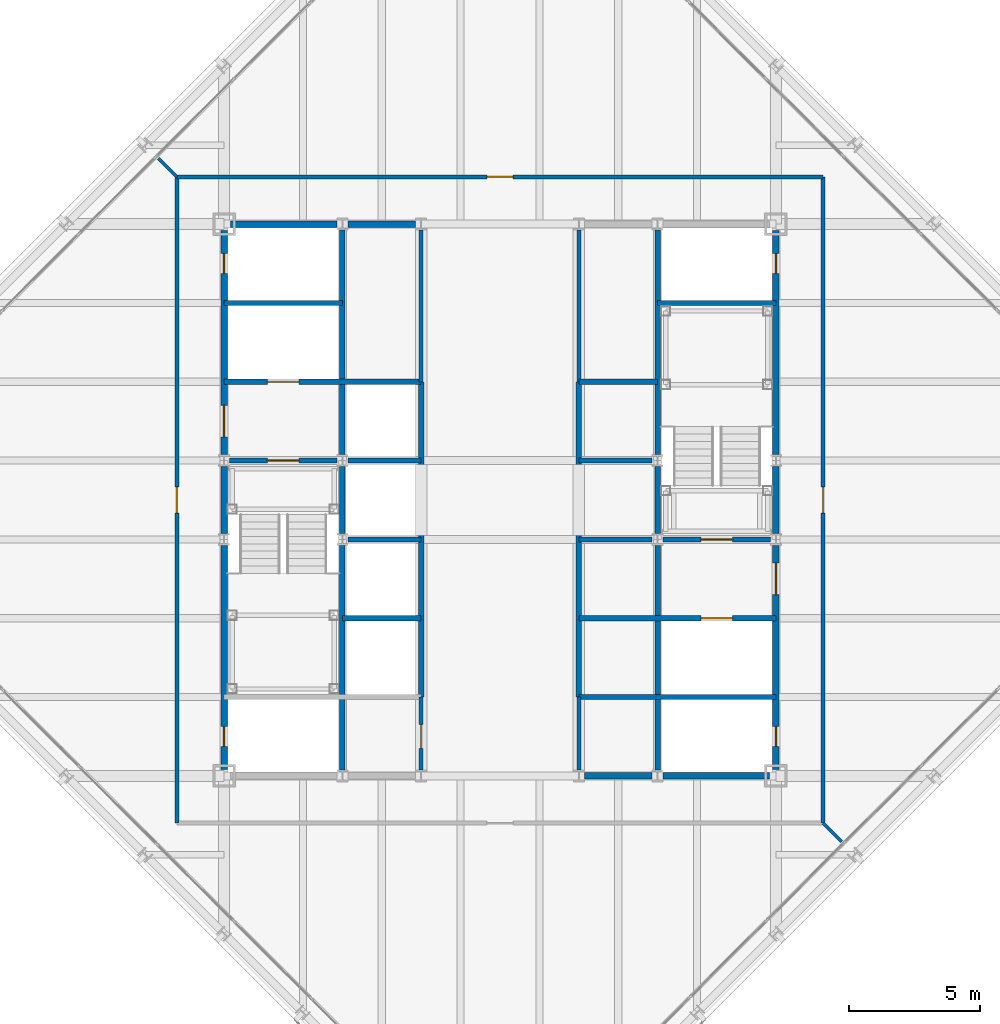
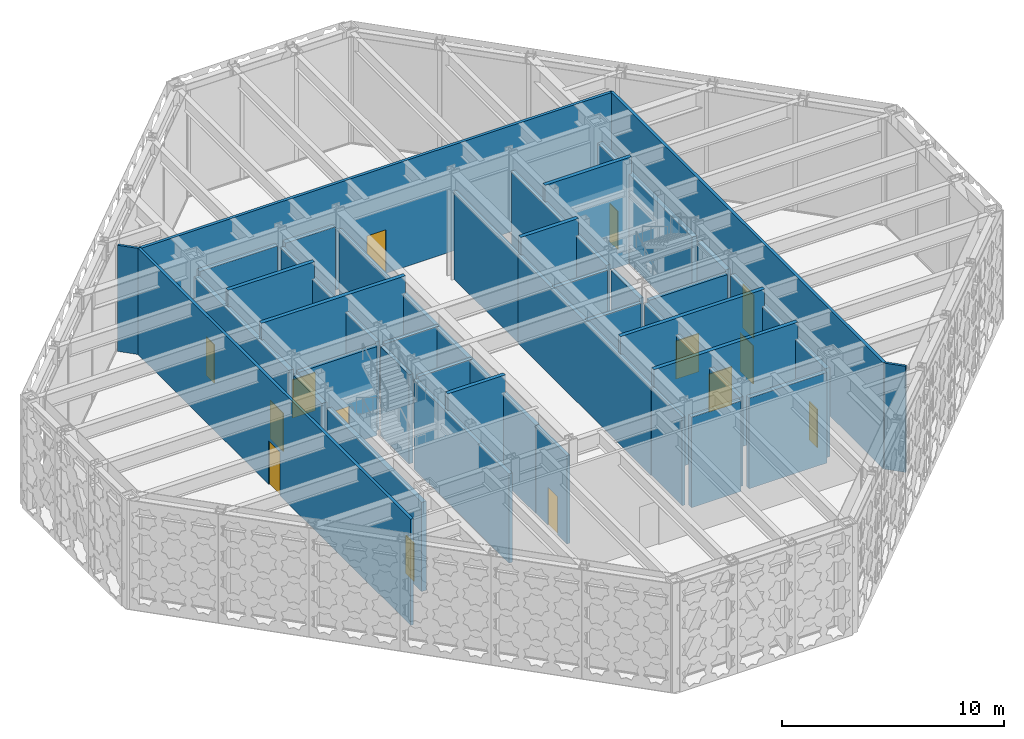
# One storey, part 11 of 28: 40 walls, 14 doors, 14 openings.
"""IFC4 building model written with IfcOpenShell, lengths in metres."""

import ifcopenshell
import ifcopenshell.guid

model = None  # the IFC model being written
_history = None  # IfcOwnerHistory: only IFC2X3 demands one
_inside = {}  # id of a spatial element -> (the spatial element, [elements in it])
_under = {}  # id of a project, library or spatial element -> (it, [spatial elements below it])
_declared = {}  # id of a project -> (the project, [libraries it declares])
_typed = {}  # id of a type object -> (the type object, [elements of that type])
_made_of = {}  # id of a material, layer set ... -> (it, [elements and type objects made of it])


def new_model(schema):
    """Start an empty IFC model of exactly this schema.

    Asked for "IFC4X3", IfcOpenShell would pick the latest addendum, in which some entities
    have other attributes; the version numbers below select the first issue.
    IFC2X3 requires an IfcOwnerHistory on every rooted entity: one is made here for all.
    """
    global model, _history
    if schema == "IFC4X3":
        model = ifcopenshell.file(schema_version=(4, 3, 0, 0))
    else:
        model = ifcopenshell.file(schema=schema)
    _inside.clear()
    _under.clear()
    _declared.clear()
    _typed.clear()
    _made_of.clear()
    _history = None
    if model.schema == "IFC2X3":
        org = make("IfcOrganization", Name="unknown")
        user = make(
            "IfcPersonAndOrganization",
            ThePerson=make("IfcPerson", FamilyName="unknown"),
            TheOrganization=org,
        )
        app = make(
            "IfcApplication",
            ApplicationDeveloper=org,
            Version="unknown",
            ApplicationFullName="unknown",
            ApplicationIdentifier="unknown",
        )
        _history = make(
            "IfcOwnerHistory",
            OwningUser=user,
            OwningApplication=app,
            ChangeAction="ADDED",
            CreationDate=0,
        )
    return model


def make(cls, **values):
    """One entity of the class cls with the attributes given. An attribute that is None is left unset."""
    return model.create_entity(
        cls, **{name: value for name, value in values.items() if value is not None}
    )


def rooted(cls, **values):
    """An entity with a GlobalId (a new one), such as an element, a storey or a relation."""
    return make(cls, GlobalId=ifcopenshell.guid.new(), OwnerHistory=_history, **values)


def si_unit(unit_type, name, prefix=None):
    """IfcSIUnit, for example si_unit("LENGTHUNIT", "METRE", prefix="MILLI")."""
    return make("IfcSIUnit", UnitType=unit_type, Prefix=prefix, Name=name)


def assignment(units):
    """IfcUnitAssignment: the units of a project."""
    return None if units is None else make("IfcUnitAssignment", Units=units)


def point(xyz):
    """IfcCartesianPoint."""
    return None if xyz is None else make("IfcCartesianPoint", Coordinates=xyz)


def direction(xyz):
    """IfcDirection."""
    return None if xyz is None else make("IfcDirection", DirectionRatios=xyz)


def frame(location, z_axis=None, x_axis=None):
    """IfcAxis2Placement3D, a coordinate frame: its origin and axes. An axis left out is left unset."""
    return make(
        "IfcAxis2Placement3D",
        Location=point(location),
        Axis=direction(z_axis),
        RefDirection=direction(x_axis),
    )


def frame_2d(location, x_axis=None):
    """IfcAxis2Placement2D, a coordinate frame in the plane: its origin and x axis."""
    return make(
        "IfcAxis2Placement2D", Location=point(location), RefDirection=direction(x_axis)
    )


def origin():
    """The frame at (0, 0, 0) with its axes left unset."""
    return frame((0.0, 0.0, 0.0))


def place(relative_to, where):
    """IfcLocalPlacement: puts the frame where relative to a parent placement (None: the world)."""
    return make(
        "IfcLocalPlacement", PlacementRelTo=relative_to, RelativePlacement=where
    )


def context(
    kind, dimensions, precision=None, world=None, true_north=None, identifier=None
):
    """IfcGeometricRepresentationContext, for example the 3D "Model" context."""
    return make(
        "IfcGeometricRepresentationContext",
        ContextIdentifier=identifier,
        ContextType=kind,
        CoordinateSpaceDimension=dimensions,
        Precision=precision,
        WorldCoordinateSystem=world,
        TrueNorth=true_north,
    )


def subcontext(parent, identifier, kind, view, scale=None):
    """IfcGeometricRepresentationSubContext, for example "Body" below "Model"."""
    return make(
        "IfcGeometricRepresentationSubContext",
        ContextIdentifier=identifier,
        ContextType=kind,
        ParentContext=parent,
        TargetScale=scale,
        TargetView=view,
    )


def project(units=None, contexts=None):
    """IfcProject with its units and contexts."""
    return rooted(
        "IfcProject",
        Name="project",
        RepresentationContexts=contexts,
        UnitsInContext=assignment(units),
    )


def spatial(cls, under=None, at=None, **own):
    """A site, building, storey or space (cls), placed at a placement, below another one or the project."""
    s = rooted(cls, ObjectPlacement=at, **own)
    if under is not None:
        _under.setdefault(under.id(), (under, []))[1].append(s)
    return s


def profile(cls, at=None, kind="AREA", **sizes):
    """A parametric profile (cls). Its sizes go by their IFC names, for example OverallWidth=200.0."""
    return make(cls, ProfileType=kind, Position=at, **sizes)


def rectangle(**sizes):
    """IfcRectangleProfileDef."""
    return profile("IfcRectangleProfileDef", **sizes)


def extrude(swept, where, along, depth):
    """IfcExtrudedAreaSolid: the profile swept, set in the frame where, extruded along a direction by depth."""
    return make(
        "IfcExtrudedAreaSolid",
        SweptArea=swept,
        Position=where,
        ExtrudedDirection=direction(along),
        Depth=depth,
    )


def shape(context_of_items, identifier, shape_type, items):
    """IfcShapeRepresentation: the items that make up one representation, for example the "Body"."""
    return make(
        "IfcShapeRepresentation",
        ContextOfItems=context_of_items,
        RepresentationIdentifier=identifier,
        RepresentationType=shape_type,
        Items=items,
    )


def material(Name=None, Category=None):
    """IfcMaterial."""
    return make("IfcMaterial", Name=Name, Category=Category)


def layer(
    of_material, thickness, ventilated=None, Name=None, Category=None, Priority=None
):
    """IfcMaterialLayer: one layer of a wall or slab, of a material (None: an air gap)."""
    return make(
        "IfcMaterialLayer",
        Material=of_material,
        LayerThickness=thickness,
        IsVentilated=ventilated,
        Name=Name,
        Category=Category,
        Priority=Priority,
    )


def layer_set(layers, Name=None):
    """IfcMaterialLayerSet."""
    return make("IfcMaterialLayerSet", MaterialLayers=layers, LayerSetName=Name)


def made_of(thing, what):
    """Note that an element or type object is made of a material, layer set ...; save() writes the relation."""
    if what is not None:
        _made_of.setdefault(what.id(), (what, []))[1].append(thing)
    return thing


def type_object(cls, material=None, **own):
    """A type object (cls), such as IfcWallType, which elements share."""
    return made_of(rooted(cls, **own), material)


def element(
    cls,
    number,
    at=None,
    inside=None,
    cuts=None,
    type_object=None,
    material=None,
    context=None,
    identifier="Body",
    shape_type=None,
    held_by="IfcProductDefinitionShape",
    body=None,
    shapes=None,
    **own,
):
    """One element of the class cls, such as IfcWall. Its Tag is "e" and its number.

    at: its placement. inside: the storey or other place that contains it. cuts: it is an
    opening in that element (IfcRelVoidsElement). A single representation is given by context,
    identifier, shape_type and body (its items); several are given by shapes. held_by: the class
    of the entity that holds the representations. save() writes the other relations.
    """
    e = rooted(cls, Tag="e%d" % number, ObjectPlacement=at, **own)
    if body is not None:
        shapes = [shape(context, identifier, shape_type, body)]
    if shapes is not None:
        e.Representation = make(held_by, Representations=shapes)
    if inside is not None:
        _inside.setdefault(inside.id(), (inside, []))[1].append(e)
    if cuts is not None:
        rooted(
            "IfcRelVoidsElement", RelatingBuildingElement=cuts, RelatedOpeningElement=e
        )
    if type_object is not None:
        _typed.setdefault(type_object.id(), (type_object, []))[1].append(e)
    return made_of(e, material)


def fill(opening, filler):
    """IfcRelFillsElement: the door or window that sits in an opening."""
    return rooted(
        "IfcRelFillsElement",
        RelatingOpeningElement=opening,
        RelatedBuildingElement=filler,
    )


def aggregate(whole, parts):
    """IfcRelAggregates: a whole, such as a stair, and the parts it consists of."""
    return rooted("IfcRelAggregates", RelatingObject=whole, RelatedObjects=parts)


def save(model, path):
    """Write the relations noted so far, then the file.

    IfcRelAggregates (storeys below a building ...), IfcRelContainedInSpatialStructure (elements
    in a storey), IfcRelDefinesByType, IfcRelAssociatesMaterial and IfcRelDeclares: one each for
    every whole, place, type object, material and project.
    """
    for whole, parts in _under.values():
        aggregate(whole, parts)
    for where, things in _inside.values():
        rooted(
            "IfcRelContainedInSpatialStructure",
            RelatedElements=things,
            RelatingStructure=where,
        )
    for kind, things in _typed.values():
        rooted("IfcRelDefinesByType", RelatedObjects=things, RelatingType=kind)
    for what, things in _made_of.values():
        rooted("IfcRelAssociatesMaterial", RelatedObjects=things, RelatingMaterial=what)
    for by, libraries in _declared.values():
        rooted("IfcRelDeclares", RelatingContext=by, RelatedDefinitions=libraries)
    model.write(path)


model = new_model("IFC4")

# Units and contexts
model_context = context("Model", 3, precision=1e-05, world=origin(), true_north=direction((0.0, 1.0)))
body_context = subcontext(model_context, "Body", "Model", "MODEL_VIEW")
ifc_project = project(units=[si_unit("LENGTHUNIT", "METRE"), si_unit("AREAUNIT", "SQUARE_METRE"), si_unit("VOLUMEUNIT", "CUBIC_METRE"), si_unit("PLANEANGLEUNIT", "RADIAN"), si_unit("MASSUNIT", "GRAM", prefix="KILO")], contexts=[model_context])

# Site, building, storey
site_placement = place(None, origin())
site = spatial("IfcSite", under=ifc_project, at=site_placement, CompositionType="ELEMENT")
building_placement = place(site_placement, origin())
building = spatial("IfcBuilding", under=site, at=building_placement, Name="Chuquiago Exchange Tower", CompositionType="ELEMENT")
storey_placement = place(building_placement, frame((0.0, 0.0, 300.0)))
storey = spatial("IfcBuildingStorey", under=building, at=storey_placement, Name="L67", CompositionType="ELEMENT", Elevation=300.0)

# Wall, opening, door
ifc_material_1 = material(Name="Concrete masonry, fully grouted", Category="masonry")
ifc_layer_1 = layer(ifc_material_1, 0.25)
ifc_layer_set_1 = layer_set([ifc_layer_1], Name="W1 core wall 250")
wall_type_1 = type_object("IfcWallType", Name="W1 core wall 250", PredefinedType="SOLIDWALL", material=ifc_layer_set_1)
wall_1_placement = place(storey_placement, frame((12.0, 12.25, 0.0), z_axis=(0.0, 0.0, 1.0), x_axis=(0.0, 1.0, 0.0)))
wall_1 = element("IfcWall", 1, at=wall_1_placement, inside=storey, type_object=wall_type_1, Name="CW-L67-00-0", PredefinedType="SOLIDWALL", context=body_context, shape_type="SweptSolid", body=[
    extrude(rectangle(XDim=8.527587890625, YDim=0.25, at=frame_2d((4.263671875, 0.0))), origin(), (0.0, 0.0, 1.0), 4.912841796875),
])
opening_1_placement = place(wall_1_placement, frame((0.875, 0.0, 0.0)))
opening_1 = element("IfcOpeningElement", 2, at=opening_1_placement, cuts=wall_1, Name="Opening L67-007", PredefinedType="OPENING", context=body_context, shape_type="SweptSolid", body=[
    extrude(rectangle(XDim=0.75, YDim=2.10009765625, at=frame_2d((0.375, 1.050048828125))), frame((0.0, 0.135009765625, 0.0), z_axis=(0.0, -1.0, 0.0), x_axis=(1.0, 0.0, 0.0)), (0.0, 0.0, 1.0), 0.27001953125),
])
ifc_material_2 = material(Name="Steel door, painted", Category="steel")
door_type_1 = type_object("IfcDoorType", Name="D6 riser access door 750x2100", OperationType="SINGLE_SWING_LEFT", PredefinedType="DOOR", material=ifc_material_2)
door_1_placement = place(opening_1_placement, frame((0.75, 0.0, 0.0), z_axis=(0.0, 0.0, 1.0), x_axis=(-1.0, 0.0, 0.0)))
door_1 = element("IfcDoor", 3, at=door_1_placement, inside=storey, type_object=door_type_1, Name="Riser RW1 door", OperationType="SINGLE_SWING_RIGHT", OverallHeight=2.10009765625, OverallWidth=0.75, PredefinedType="DOOR", context=body_context, shape_type="SweptSolid", body=[
    extrude(rectangle(XDim=0.75, YDim=2.10009765625, at=frame_2d((0.375, 1.050048828125))), frame((0.0, 0.02490234375, 0.0), z_axis=(0.0, -1.0, 0.0), x_axis=(1.0, 0.0, 0.0)), (0.0, 0.0, 1.0), 0.050048828125),
])
fill(opening_1, door_1)

# Wall
wall_2_placement = place(storey_placement, frame((12.0, 21.222412109375, 0.0), z_axis=(0.0, 0.0, 1.0), x_axis=(0.0, 1.0, 0.0)))
element("IfcWall", 4, at=wall_2_placement, inside=storey, type_object=wall_type_1, Name="CW-L67-00-1", PredefinedType="SOLIDWALL", context=body_context, shape_type="SweptSolid", body=[
    extrude(rectangle(XDim=2.55517578125, YDim=0.25, at=frame_2d((1.277587890625, 0.0))), origin(), (0.0, 0.0, 1.0), 4.912841796875),
])

# Wall, openings, doors
wall_3_placement = place(storey_placement, frame((12.0, 24.222412109375, 0.0), z_axis=(0.0, 0.0, 1.0), x_axis=(0.0, 1.0, 0.0)))
wall_3 = element("IfcWall", 5, at=wall_3_placement, inside=storey, type_object=wall_type_1, Name="CW-L67-00-2", PredefinedType="SOLIDWALL", context=body_context, shape_type="SweptSolid", body=[
    extrude(rectangle(XDim=8.527587890625, YDim=0.25, at=frame_2d((4.263671875, 0.0))), origin(), (0.0, 0.0, 1.0), 4.912841796875),
])
opening_2_placement = place(wall_3_placement, frame((0.677734375, 0.0, 0.0)))
opening_2 = element("IfcOpeningElement", 6, at=opening_2_placement, cuts=wall_3, Name="Opening L67-002", PredefinedType="OPENING", context=body_context, shape_type="SweptSolid", body=[
    extrude(rectangle(XDim=1.199951171875, YDim=2.10009765625, at=frame_2d((0.60009765625, 1.050048828125))), frame((0.0, 0.135009765625, 0.0), z_axis=(0.0, -1.0, 0.0), x_axis=(1.0, 0.0, 0.0)), (0.0, 0.0, 1.0), 0.27001953125),
])
opening_3_placement = place(wall_3_placement, frame((6.902587890625, 0.0, 0.0)))
opening_3 = element("IfcOpeningElement", 7, at=opening_3_placement, cuts=wall_3, Name="Opening L67-008", PredefinedType="OPENING", context=body_context, shape_type="SweptSolid", body=[
    extrude(rectangle(XDim=0.75, YDim=2.10009765625, at=frame_2d((0.375, 1.050048828125))), frame((0.0, 0.135009765625, 0.0), z_axis=(0.0, -1.0, 0.0), x_axis=(1.0, 0.0, 0.0)), (0.0, 0.0, 1.0), 0.27001953125),
])
ifc_material_3 = material(Name="Steel door, painted", Category="steel")
door_type_2 = type_object("IfcDoorType", Name="D5 firefighting lobby door 1200x2100", OperationType="SINGLE_SWING_LEFT", PredefinedType="DOOR", material=ifc_material_3)
door_2_placement = place(opening_2_placement, frame((1.199951171875, 0.0, 0.0), z_axis=(0.0, 0.0, 1.0), x_axis=(-1.0, 0.0, 0.0)))
door_2 = element("IfcDoor", 8, at=door_2_placement, inside=storey, type_object=door_type_2, Name="Firefighting lobby 1 door", OperationType="SINGLE_SWING_RIGHT", OverallHeight=2.10009765625, OverallWidth=1.199951171875, PredefinedType="DOOR", context=body_context, shape_type="SweptSolid", body=[
    extrude(rectangle(XDim=1.199951171875, YDim=2.10009765625, at=frame_2d((0.60009765625, 1.050048828125))), frame((0.0, 0.02490234375, 0.0), z_axis=(0.0, -1.0, 0.0), x_axis=(1.0, 0.0, 0.0)), (0.0, 0.0, 1.0), 0.050048828125),
])
fill(opening_2, door_2)
door_3_placement = place(opening_3_placement, frame((0.75, 0.0, 0.0), z_axis=(0.0, 0.0, 1.0), x_axis=(-1.0, 0.0, 0.0)))
door_3 = element("IfcDoor", 9, at=door_3_placement, inside=storey, type_object=door_type_1, Name="Riser RW2 door", OperationType="SINGLE_SWING_LEFT", OverallHeight=2.10009765625, OverallWidth=0.75, PredefinedType="DOOR", context=body_context, shape_type="SweptSolid", body=[
    extrude(rectangle(XDim=0.75, YDim=2.10009765625, at=frame_2d((0.375, 1.050048828125))), frame((0.0, 0.02490234375, 0.0), z_axis=(0.0, -1.0, 0.0), x_axis=(1.0, 0.0, 0.0)), (0.0, 0.0, 1.0), 0.050048828125),
])
fill(opening_3, door_3)

# Walls
wall_4_placement = place(storey_placement, frame((25.708251953125, 12.0, 0.0), z_axis=(0.0, 0.0, 1.0), x_axis=(1.0, 0.0, 0.0)))
element("IfcWall", 10, at=wall_4_placement, inside=storey, type_object=wall_type_1, Name="CW-L67-02-0", PredefinedType="SOLIDWALL", context=body_context, shape_type="SweptSolid", body=[
    extrude(rectangle(XDim=2.58349609375, YDim=0.25, at=frame_2d((1.291748046875, 0.0))), origin(), (0.0, 0.0, 1.0), 4.9814453125),
])
for number, where, z_axis, x_axis, name in (
    (11, (28.708251953125, 12.0, 0.0), (0.0, 0.0, 1.0), (1.0, 0.0, 0.0), "CW-L67-02-1"),
    (12, (12.25, 33.0, 0.0), (0.0, 0.0, 1.0), (1.0, 0.0, 0.0), "CW-L67-11-0"),
):
    element("IfcWall", number, at=place(storey_placement, frame(where, z_axis=z_axis, x_axis=x_axis)), inside=storey, type_object=wall_type_1, Name=name, PredefinedType="SOLIDWALL", context=body_context, shape_type="SweptSolid", body=[
        extrude(rectangle(XDim=4.041748046875, YDim=0.25, at=frame_2d((2.02099609375, 0.0))), origin(), (0.0, 0.0, 1.0), 4.9814453125),
    ])
wall_5_placement = place(storey_placement, frame((16.708251953125, 33.0, 0.0), z_axis=(0.0, 0.0, 1.0), x_axis=(1.0, 0.0, 0.0)))
element("IfcWall", 13, at=wall_5_placement, inside=storey, type_object=wall_type_1, Name="CW-L67-11-1", PredefinedType="SOLIDWALL", context=body_context, shape_type="SweptSolid", body=[
    extrude(rectangle(XDim=2.58349609375, YDim=0.25, at=frame_2d((1.291748046875, 0.0))), origin(), (0.0, 0.0, 1.0), 4.9814453125),
])

# Wall, openings, doors
wall_6_placement = place(storey_placement, frame((33.0, 12.25, 0.0), z_axis=(0.0, 0.0, 1.0), x_axis=(0.0, 1.0, 0.0)))
wall_6 = element("IfcWall", 14, at=wall_6_placement, inside=storey, type_object=wall_type_1, Name="CW-L67-25-0", PredefinedType="SOLIDWALL", context=body_context, shape_type="SweptSolid", body=[
    extrude(rectangle(XDim=8.527587890625, YDim=0.25, at=frame_2d((4.263671875, 0.0))), origin(), (0.0, 0.0, 1.0), 4.912841796875),
])
opening_4_placement = place(wall_6_placement, frame((6.64990234375, 0.0, 0.0)))
opening_4 = element("IfcOpeningElement", 15, at=opening_4_placement, cuts=wall_6, Name="Opening L67-004", PredefinedType="OPENING", context=body_context, shape_type="SweptSolid", body=[
    extrude(rectangle(XDim=1.199951171875, YDim=2.10009765625, at=frame_2d((0.60009765625, 1.050048828125))), frame((0.0, 0.135009765625, 0.0), z_axis=(0.0, -1.0, 0.0), x_axis=(1.0, 0.0, 0.0)), (0.0, 0.0, 1.0), 0.27001953125),
])
opening_5_placement = place(wall_6_placement, frame((0.875, 0.0, 0.0)))
opening_5 = element("IfcOpeningElement", 16, at=opening_5_placement, cuts=wall_6, Name="Opening L67-009", PredefinedType="OPENING", context=body_context, shape_type="SweptSolid", body=[
    extrude(rectangle(XDim=0.75, YDim=2.10009765625, at=frame_2d((0.375, 1.050048828125))), frame((0.0, 0.135009765625, 0.0), z_axis=(0.0, -1.0, 0.0), x_axis=(1.0, 0.0, 0.0)), (0.0, 0.0, 1.0), 0.27001953125),
])
door_4_placement = place(opening_4_placement, origin())
door_4 = element("IfcDoor", 17, at=door_4_placement, inside=storey, type_object=door_type_2, Name="Firefighting lobby 2 door", OperationType="SINGLE_SWING_RIGHT", OverallHeight=2.10009765625, OverallWidth=1.199951171875, PredefinedType="DOOR", context=body_context, shape_type="SweptSolid", body=[
    extrude(rectangle(XDim=1.199951171875, YDim=2.10009765625, at=frame_2d((0.60009765625, 1.050048828125))), frame((0.0, 0.02490234375, 0.0), z_axis=(0.0, -1.0, 0.0), x_axis=(1.0, 0.0, 0.0)), (0.0, 0.0, 1.0), 0.050048828125),
])
fill(opening_4, door_4)
door_5_placement = place(opening_5_placement, origin())
door_5 = element("IfcDoor", 18, at=door_5_placement, inside=storey, type_object=door_type_1, Name="Riser RE1 door", OperationType="SINGLE_SWING_LEFT", OverallHeight=2.10009765625, OverallWidth=0.75, PredefinedType="DOOR", context=body_context, shape_type="SweptSolid", body=[
    extrude(rectangle(XDim=0.75, YDim=2.10009765625, at=frame_2d((0.375, 1.050048828125))), frame((0.0, 0.02490234375, 0.0), z_axis=(0.0, -1.0, 0.0), x_axis=(1.0, 0.0, 0.0)), (0.0, 0.0, 1.0), 0.050048828125),
])
fill(opening_5, door_5)

# Wall
wall_7_placement = place(storey_placement, frame((33.0, 21.222412109375, 0.0), z_axis=(0.0, 0.0, 1.0), x_axis=(0.0, 1.0, 0.0)))
element("IfcWall", 19, at=wall_7_placement, inside=storey, type_object=wall_type_1, Name="CW-L67-25-1", PredefinedType="SOLIDWALL", context=body_context, shape_type="SweptSolid", body=[
    extrude(rectangle(XDim=2.55517578125, YDim=0.25, at=frame_2d((1.277587890625, 0.0))), origin(), (0.0, 0.0, 1.0), 4.912841796875),
])

# Wall, opening, door
wall_8_placement = place(storey_placement, frame((33.0, 24.222412109375, 0.0), z_axis=(0.0, 0.0, 1.0), x_axis=(0.0, 1.0, 0.0)))
wall_8 = element("IfcWall", 20, at=wall_8_placement, inside=storey, type_object=wall_type_1, Name="CW-L67-25-2", PredefinedType="SOLIDWALL", context=body_context, shape_type="SweptSolid", body=[
    extrude(rectangle(XDim=8.527587890625, YDim=0.25, at=frame_2d((4.263671875, 0.0))), origin(), (0.0, 0.0, 1.0), 4.912841796875),
])
opening_6_placement = place(wall_8_placement, frame((6.902587890625, 0.0, 0.0)))
opening_6 = element("IfcOpeningElement", 21, at=opening_6_placement, cuts=wall_8, Name="Opening L67-010", PredefinedType="OPENING", context=body_context, shape_type="SweptSolid", body=[
    extrude(rectangle(XDim=0.75, YDim=2.10009765625, at=frame_2d((0.375, 1.050048828125))), frame((0.0, 0.135009765625, 0.0), z_axis=(0.0, -1.0, 0.0), x_axis=(1.0, 0.0, 0.0)), (0.0, 0.0, 1.0), 0.27001953125),
])
door_6_placement = place(opening_6_placement, origin())
door_6 = element("IfcDoor", 22, at=door_6_placement, inside=storey, type_object=door_type_1, Name="Riser RE2 door", OperationType="SINGLE_SWING_RIGHT", OverallHeight=2.10009765625, OverallWidth=0.75, PredefinedType="DOOR", context=body_context, shape_type="SweptSolid", body=[
    extrude(rectangle(XDim=0.75, YDim=2.10009765625, at=frame_2d((0.375, 1.050048828125))), frame((0.0, 0.02490234375, 0.0), z_axis=(0.0, -1.0, 0.0), x_axis=(1.0, 0.0, 0.0)), (0.0, 0.0, 1.0), 0.050048828125),
])
fill(opening_6, door_6)

ifc_material_4 = material(Name="Gypsum board on steel studs, acoustic insulation", Category="steel")
ifc_layer_2 = layer(ifc_material_4, 0.14990234375)
ifc_layer_set_2 = layer_set([ifc_layer_2], Name="W11 corridor wall 150")
wall_type_2 = type_object("IfcWallType", Name="W11 corridor wall 150", PredefinedType="PARTITIONING", material=ifc_layer_set_2)
wall_9_placement = place(storey_placement, frame((10.199951171875, 34.800048828125, 0.0), z_axis=(0.0, 0.0, 1.0), x_axis=(1.0, 0.0, 0.0)))
wall_9 = element("IfcWall", 23, at=wall_9_placement, inside=storey, type_object=wall_type_2, Name="PW-L67-PCN", PredefinedType="PARTITIONING", context=body_context, shape_type="SweptSolid", body=[
    extrude(rectangle(XDim=24.60009765625, YDim=0.14990234375, at=frame_2d((12.300048828125, 0.0))), origin(), (0.0, 0.0, 1.0), 5.840087890625),
])
opening_7_placement = place(wall_9_placement, frame((11.800048828125, 0.0, 0.0)))
opening_7 = element("IfcOpeningElement", 24, at=opening_7_placement, cuts=wall_9, Name="Opening L67-013", PredefinedType="OPENING", context=body_context, shape_type="SweptSolid", body=[
    extrude(rectangle(XDim=1.0, YDim=2.39990234375, at=frame_2d((0.5, 1.199951171875))), frame((0.0, 0.0849609375, 0.0), z_axis=(0.0, -1.0, 0.0), x_axis=(1.0, 0.0, 0.0)), (0.0, 0.0, 1.0), 0.169921875),
])
ifc_material_5 = material(Name="Timber door, laminate faced", Category="wood")
door_type_3 = type_object("IfcDoorType", Name="D9 room door 1000x2400", OperationType="SINGLE_SWING_LEFT", PredefinedType="DOOR", material=ifc_material_5)
door_7_placement = place(opening_7_placement, origin())
door_7 = element("IfcDoor", 25, at=door_7_placement, inside=storey, type_object=door_type_3, Name="Plant corridor north door", OperationType="SINGLE_SWING_RIGHT", OverallHeight=2.39990234375, OverallWidth=1.0, PredefinedType="DOOR", context=body_context, shape_type="SweptSolid", body=[
    extrude(rectangle(XDim=1.0, YDim=2.39990234375, at=frame_2d((0.5, 1.199951171875))), frame((0.0, 0.02490234375, 0.0), z_axis=(0.0, -1.0, 0.0), x_axis=(1.0, 0.0, 0.0)), (0.0, 0.0, 1.0), 0.050048828125),
])
fill(opening_7, door_7)

wall_10_placement = place(storey_placement, frame((10.199951171875, 10.199951171875, 0.0), z_axis=(0.0, 0.0, 1.0), x_axis=(0.0, 1.0, 0.0)))
wall_10 = element("IfcWall", 26, at=wall_10_placement, inside=storey, type_object=wall_type_2, Name="PW-L67-PCW", PredefinedType="PARTITIONING", context=body_context, shape_type="SweptSolid", body=[
    extrude(rectangle(XDim=24.60009765625, YDim=0.14990234375, at=frame_2d((12.300048828125, 0.0))), origin(), (0.0, 0.0, 1.0), 5.840087890625),
])
opening_8_placement = place(wall_10_placement, frame((11.800048828125, 0.0, 0.0)))
opening_8 = element("IfcOpeningElement", 27, at=opening_8_placement, cuts=wall_10, Name="Opening L67-014", PredefinedType="OPENING", context=body_context, shape_type="SweptSolid", body=[
    extrude(rectangle(XDim=1.0, YDim=2.39990234375, at=frame_2d((0.5, 1.199951171875))), frame((0.0, 0.0849609375, 0.0), z_axis=(0.0, -1.0, 0.0), x_axis=(1.0, 0.0, 0.0)), (0.0, 0.0, 1.0), 0.169921875),
])
door_8_placement = place(opening_8_placement, origin())
door_8 = element("IfcDoor", 28, at=door_8_placement, inside=storey, type_object=door_type_3, Name="Plant corridor west door", OperationType="SINGLE_SWING_RIGHT", OverallHeight=2.39990234375, OverallWidth=1.0, PredefinedType="DOOR", context=body_context, shape_type="SweptSolid", body=[
    extrude(rectangle(XDim=1.0, YDim=2.39990234375, at=frame_2d((0.5, 1.199951171875))), frame((0.0, 0.02490234375, 0.0), z_axis=(0.0, -1.0, 0.0), x_axis=(1.0, 0.0, 0.0)), (0.0, 0.0, 1.0), 0.050048828125),
])
fill(opening_8, door_8)

wall_11_placement = place(storey_placement, frame((34.800048828125, 10.199951171875, 0.0), z_axis=(0.0, 0.0, 1.0), x_axis=(0.0, 1.0, 0.0)))
wall_11 = element("IfcWall", 29, at=wall_11_placement, inside=storey, type_object=wall_type_2, Name="PW-L67-PCE", PredefinedType="PARTITIONING", context=body_context, shape_type="SweptSolid", body=[
    extrude(rectangle(XDim=24.60009765625, YDim=0.14990234375, at=frame_2d((12.300048828125, 0.0))), origin(), (0.0, 0.0, 1.0), 5.840087890625),
])
opening_9_placement = place(wall_11_placement, frame((11.800048828125, 0.0, 0.0)))
opening_9 = element("IfcOpeningElement", 30, at=opening_9_placement, cuts=wall_11, Name="Opening L67-015", PredefinedType="OPENING", context=body_context, shape_type="SweptSolid", body=[
    extrude(rectangle(XDim=1.0, YDim=2.39990234375, at=frame_2d((0.5, 1.199951171875))), frame((0.0, 0.0849609375, 0.0), z_axis=(0.0, -1.0, 0.0), x_axis=(1.0, 0.0, 0.0)), (0.0, 0.0, 1.0), 0.169921875),
])
door_9_placement = place(opening_9_placement, frame((1.0, 0.0, 0.0), z_axis=(0.0, 0.0, 1.0), x_axis=(-1.0, 0.0, 0.0)))
door_9 = element("IfcDoor", 31, at=door_9_placement, inside=storey, type_object=door_type_3, Name="Plant corridor east door", OperationType="SINGLE_SWING_LEFT", OverallHeight=2.39990234375, OverallWidth=1.0, PredefinedType="DOOR", context=body_context, shape_type="SweptSolid", body=[
    extrude(rectangle(XDim=1.0, YDim=2.39990234375, at=frame_2d((0.5, 1.199951171875))), frame((0.0, 0.02490234375, 0.0), z_axis=(0.0, -1.0, 0.0), x_axis=(1.0, 0.0, 0.0)), (0.0, 0.0, 1.0), 0.050048828125),
])
fill(opening_9, door_9)

# Wall
ifc_material_6 = material(Name="Concrete masonry, fully grouted", Category="masonry")
ifc_layer_3 = layer(ifc_material_6, 0.199951171875)
ifc_layer_set_3 = layer_set([ifc_layer_3], Name="W2 shaft wall 200")
wall_type_3 = type_object("IfcWallType", Name="W2 shaft wall 200", PredefinedType="SOLIDWALL", material=ifc_layer_set_3)
wall_12_placement = place(storey_placement, frame((25.5, 15.0, 0.0), z_axis=(0.0, 0.0, 1.0), x_axis=(1.0, 0.0, 0.0)))
element("IfcWall", 32, at=wall_12_placement, inside=storey, type_object=wall_type_3, Name="CW-L67-04-0", PredefinedType="SOLIDWALL", context=body_context, shape_type="SweptSolid", body=[
    extrude(rectangle(XDim=7.5, YDim=0.199951171875, at=frame_2d((3.75, 0.0))), origin(), (0.0, 0.0, 1.0), 5.840087890625),
])

# Wall, opening, door
wall_13_placement = place(storey_placement, frame((12.208251953125, 24.0, 0.0), z_axis=(0.0, 0.0, 1.0), x_axis=(1.0, 0.0, 0.0)))
wall_13 = element("IfcWall", 33, at=wall_13_placement, inside=storey, type_object=wall_type_3, Name="CW-L67-05-0", PredefinedType="SOLIDWALL", context=body_context, shape_type="SweptSolid", body=[
    extrude(rectangle(XDim=4.08349609375, YDim=0.199951171875, at=frame_2d((2.041748046875, 0.0))), origin(), (0.0, 0.0, 1.0), 4.889892578125),
])
opening_10_placement = place(wall_13_placement, frame((1.441650390625, 0.0, 0.0)))
opening_10 = element("IfcOpeningElement", 34, at=opening_10_placement, cuts=wall_13, Name="Opening L67-001", PredefinedType="OPENING", context=body_context, shape_type="SweptSolid", body=[
    extrude(rectangle(XDim=1.199951171875, YDim=2.10009765625, at=frame_2d((0.60009765625, 1.050048828125))), frame((0.0, 0.10986328125, 0.0), z_axis=(0.0, -1.0, 0.0), x_axis=(1.0, 0.0, 0.0)), (0.0, 0.0, 1.0), 0.219970703125),
])
ifc_material_7 = material(Name="Steel door, painted", Category="steel")
door_type_4 = type_object("IfcDoorType", Name="D4 stair door 1200x2100", OperationType="SINGLE_SWING_LEFT", PredefinedType="DOOR", material=ifc_material_7)
door_10_placement = place(opening_10_placement, frame((1.199951171875, 0.0, 0.0), z_axis=(0.0, 0.0, 1.0), x_axis=(-1.0, 0.0, 0.0)))
door_10 = element("IfcDoor", 35, at=door_10_placement, inside=storey, type_object=door_type_4, Name="Stair ST1 door", OperationType="SINGLE_SWING_LEFT", OverallHeight=2.10009765625, OverallWidth=1.199951171875, PredefinedType="DOOR", context=body_context, shape_type="SweptSolid", body=[
    extrude(rectangle(XDim=1.199951171875, YDim=2.10009765625, at=frame_2d((0.60009765625, 1.050048828125))), frame((0.0, 0.02490234375, 0.0), z_axis=(0.0, -1.0, 0.0), x_axis=(1.0, 0.0, 0.0)), (0.0, 0.0, 1.0), 0.050048828125),
])
fill(opening_10, door_10)

# Walls
for number, where, z_axis, x_axis, name in (
    (36, (16.708251953125, 24.0, 0.0), (0.0, 0.0, 1.0), (1.0, 0.0, 0.0), "CW-L67-05-1"),
    (37, (25.5, 24.0, 0.0), (0.0, 0.0, 1.0), (1.0, 0.0, 0.0), "CW-L67-06-0"),
):
    element("IfcWall", number, at=place(storey_placement, frame(where, z_axis=z_axis, x_axis=x_axis)), inside=storey, type_object=wall_type_3, Name=name, PredefinedType="SOLIDWALL", context=body_context, shape_type="SweptSolid", body=[
        extrude(rectangle(XDim=2.791748046875, YDim=0.199951171875, at=frame_2d((1.39599609375, 0.0))), origin(), (0.0, 0.0, 1.0), 4.889892578125),
    ])

# Wall, opening, door
wall_14_placement = place(storey_placement, frame((12.0, 27.0, 0.0), z_axis=(0.0, 0.0, 1.0), x_axis=(1.0, 0.0, 0.0)))
wall_14 = element("IfcWall", 38, at=wall_14_placement, inside=storey, type_object=wall_type_3, Name="CW-L67-07-0", PredefinedType="SOLIDWALL", context=body_context, shape_type="SweptSolid", body=[
    extrude(rectangle(XDim=7.5, YDim=0.199951171875, at=frame_2d((3.75, 0.0))), origin(), (0.0, 0.0, 1.0), 5.840087890625),
])
opening_11_placement = place(wall_14_placement, frame((1.64990234375, 0.0, 0.0)))
opening_11 = element("IfcOpeningElement", 39, at=opening_11_placement, cuts=wall_14, Name="Opening L67-005", PredefinedType="OPENING", context=body_context, shape_type="SweptSolid", body=[
    extrude(rectangle(XDim=1.199951171875, YDim=2.10009765625, at=frame_2d((0.60009765625, 1.050048828125))), frame((0.0, 0.10986328125, 0.0), z_axis=(0.0, -1.0, 0.0), x_axis=(1.0, 0.0, 0.0)), (0.0, 0.0, 1.0), 0.219970703125),
])
ifc_material_8 = material(Name="Stainless steel lift landing door", Category="steel")
door_type_5 = type_object("IfcDoorType", Name="LD2 firefighting lift landing door 1200x2100", OperationType="DOUBLE_DOOR_SLIDING", PredefinedType="DOOR", material=ifc_material_8)
door_11_placement = place(opening_11_placement, origin())
door_11 = element("IfcDoor", 40, at=door_11_placement, inside=storey, type_object=door_type_5, Name="Firefighting lift FL1 landing door", OperationType="DOUBLE_DOOR_SLIDING", OverallHeight=2.10009765625, OverallWidth=1.199951171875, PredefinedType="DOOR", context=body_context, shape_type="SweptSolid", body=[
    extrude(rectangle(XDim=1.199951171875, YDim=2.10009765625, at=frame_2d((0.60009765625, 1.050048828125))), frame((0.0, 0.02490234375, 0.0), z_axis=(0.0, -1.0, 0.0), x_axis=(1.0, 0.0, 0.0)), (0.0, 0.0, 1.0), 0.050048828125),
])
fill(opening_11, door_11)

# Walls
wall_15_placement = place(storey_placement, frame((25.5, 27.0, 0.0), z_axis=(0.0, 0.0, 1.0), x_axis=(1.0, 0.0, 0.0)))
element("IfcWall", 41, at=wall_15_placement, inside=storey, type_object=wall_type_3, Name="CW-L67-08-0", PredefinedType="SOLIDWALL", context=body_context, shape_type="SweptSolid", body=[
    extrude(rectangle(XDim=3.0, YDim=0.199951171875, at=frame_2d((1.5, 0.0))), origin(), (0.0, 0.0, 1.0), 5.840087890625),
])
for number, where, z_axis, x_axis, name in (
    (42, (12.0, 30.0, 0.0), (0.0, 0.0, 1.0), (1.0, 0.0, 0.0), "CW-L67-09-0"),
    (43, (28.5, 30.0, 0.0), (0.0, 0.0, 1.0), (1.0, 0.0, 0.0), "CW-L67-10-0"),
):
    element("IfcWall", number, at=place(storey_placement, frame(where, z_axis=z_axis, x_axis=x_axis)), inside=storey, type_object=wall_type_3, Name=name, PredefinedType="SOLIDWALL", context=body_context, shape_type="SweptSolid", body=[
        extrude(rectangle(XDim=4.5, YDim=0.199951171875, at=frame_2d((2.25, 0.0))), origin(), (0.0, 0.0, 1.0), 5.840087890625),
    ])
wall_16_placement = place(storey_placement, frame((16.5, 12.222412109375, 0.0), z_axis=(0.0, 0.0, 1.0), x_axis=(0.0, 1.0, 0.0)))
element("IfcWall", 44, at=wall_16_placement, inside=storey, type_object=wall_type_3, Name="CW-L67-13-0", PredefinedType="SOLIDWALL", context=body_context, shape_type="SweptSolid", body=[
    extrude(rectangle(XDim=8.55517578125, YDim=0.199951171875, at=frame_2d((4.277587890625, 0.0))), origin(), (0.0, 0.0, 1.0), 4.912841796875),
])
wall_17_placement = place(storey_placement, frame((16.5, 21.222412109375, 0.0), z_axis=(0.0, 0.0, 1.0), x_axis=(0.0, 1.0, 0.0)))
element("IfcWall", 45, at=wall_17_placement, inside=storey, type_object=wall_type_3, Name="CW-L67-13-1", PredefinedType="SOLIDWALL", context=body_context, shape_type="SweptSolid", body=[
    extrude(rectangle(XDim=2.55517578125, YDim=0.199951171875, at=frame_2d((1.277587890625, 0.0))), origin(), (0.0, 0.0, 1.0), 4.912841796875),
])
wall_18_placement = place(storey_placement, frame((16.5, 24.222412109375, 0.0), z_axis=(0.0, 0.0, 1.0), x_axis=(0.0, 1.0, 0.0)))
element("IfcWall", 46, at=wall_18_placement, inside=storey, type_object=wall_type_3, Name="CW-L67-13-2", PredefinedType="SOLIDWALL", context=body_context, shape_type="SweptSolid", body=[
    extrude(rectangle(XDim=8.55517578125, YDim=0.199951171875, at=frame_2d((4.277587890625, 0.0))), origin(), (0.0, 0.0, 1.0), 4.912841796875),
])
wall_19_placement = place(storey_placement, frame((16.5, 18.0, 0.0), z_axis=(0.0, 0.0, 1.0), x_axis=(1.0, 0.0, 0.0)))
element("IfcWall", 47, at=wall_19_placement, inside=storey, type_object=wall_type_3, Name="CW-L67-14-0", PredefinedType="SOLIDWALL", context=body_context, shape_type="SweptSolid", body=[
    extrude(rectangle(XDim=3.0, YDim=0.199951171875, at=frame_2d((1.5, 0.0))), origin(), (0.0, 0.0, 1.0), 5.840087890625),
])

# Wall, opening, door
wall_20_placement = place(storey_placement, frame((25.5, 18.0, 0.0), z_axis=(0.0, 0.0, 1.0), x_axis=(1.0, 0.0, 0.0)))
wall_20 = element("IfcWall", 48, at=wall_20_placement, inside=storey, type_object=wall_type_3, Name="CW-L67-15-0", PredefinedType="SOLIDWALL", context=body_context, shape_type="SweptSolid", body=[
    extrude(rectangle(XDim=7.5, YDim=0.199951171875, at=frame_2d((3.75, 0.0))), origin(), (0.0, 0.0, 1.0), 5.840087890625),
])
opening_12_placement = place(wall_20_placement, frame((4.64990234375, 0.0, 0.0)))
opening_12 = element("IfcOpeningElement", 49, at=opening_12_placement, cuts=wall_20, Name="Opening L67-006", PredefinedType="OPENING", context=body_context, shape_type="SweptSolid", body=[
    extrude(rectangle(XDim=1.199951171875, YDim=2.10009765625, at=frame_2d((0.60009765625, 1.050048828125))), frame((0.0, 0.10986328125, 0.0), z_axis=(0.0, -1.0, 0.0), x_axis=(1.0, 0.0, 0.0)), (0.0, 0.0, 1.0), 0.219970703125),
])
door_12_placement = place(opening_12_placement, origin())
door_12 = element("IfcDoor", 50, at=door_12_placement, inside=storey, type_object=door_type_5, Name="Firefighting lift FL2 landing door", OperationType="DOUBLE_DOOR_SLIDING", OverallHeight=2.10009765625, OverallWidth=1.199951171875, PredefinedType="DOOR", context=body_context, shape_type="SweptSolid", body=[
    extrude(rectangle(XDim=1.199951171875, YDim=2.10009765625, at=frame_2d((0.60009765625, 1.050048828125))), frame((0.0, 0.02490234375, 0.0), z_axis=(0.0, -1.0, 0.0), x_axis=(1.0, 0.0, 0.0)), (0.0, 0.0, 1.0), 0.050048828125),
])
fill(opening_12, door_12)

# Walls
for number, where, z_axis, x_axis, name in (
    (51, (16.708251953125, 21.0, 0.0), (0.0, 0.0, 1.0), (1.0, 0.0, 0.0), "CW-L67-16-0"),
    (52, (25.5, 21.0, 0.0), (0.0, 0.0, 1.0), (1.0, 0.0, 0.0), "CW-L67-17-0"),
):
    element("IfcWall", number, at=place(storey_placement, frame(where, z_axis=z_axis, x_axis=x_axis)), inside=storey, type_object=wall_type_3, Name=name, PredefinedType="SOLIDWALL", context=body_context, shape_type="SweptSolid", body=[
        extrude(rectangle(XDim=2.791748046875, YDim=0.199951171875, at=frame_2d((1.39599609375, 0.0))), origin(), (0.0, 0.0, 1.0), 4.889892578125),
    ])

# Wall, opening, door
wall_21_placement = place(storey_placement, frame((28.708251953125, 21.0, 0.0), z_axis=(0.0, 0.0, 1.0), x_axis=(1.0, 0.0, 0.0)))
wall_21 = element("IfcWall", 53, at=wall_21_placement, inside=storey, type_object=wall_type_3, Name="CW-L67-17-1", PredefinedType="SOLIDWALL", context=body_context, shape_type="SweptSolid", body=[
    extrude(rectangle(XDim=4.08349609375, YDim=0.199951171875, at=frame_2d((2.041748046875, 0.0))), origin(), (0.0, 0.0, 1.0), 4.889892578125),
])
opening_13_placement = place(wall_21_placement, frame((1.441650390625, 0.0, 0.0)))
opening_13 = element("IfcOpeningElement", 54, at=opening_13_placement, cuts=wall_21, Name="Opening L67-003", PredefinedType="OPENING", context=body_context, shape_type="SweptSolid", body=[
    extrude(rectangle(XDim=1.199951171875, YDim=2.10009765625, at=frame_2d((0.60009765625, 1.050048828125))), frame((0.0, 0.10986328125, 0.0), z_axis=(0.0, -1.0, 0.0), x_axis=(1.0, 0.0, 0.0)), (0.0, 0.0, 1.0), 0.219970703125),
])
door_13_placement = place(opening_13_placement, origin())
door_13 = element("IfcDoor", 55, at=door_13_placement, inside=storey, type_object=door_type_4, Name="Stair ST2 door", OperationType="SINGLE_SWING_RIGHT", OverallHeight=2.10009765625, OverallWidth=1.199951171875, PredefinedType="DOOR", context=body_context, shape_type="SweptSolid", body=[
    extrude(rectangle(XDim=1.199951171875, YDim=2.10009765625, at=frame_2d((0.60009765625, 1.050048828125))), frame((0.0, 0.02490234375, 0.0), z_axis=(0.0, -1.0, 0.0), x_axis=(1.0, 0.0, 0.0)), (0.0, 0.0, 1.0), 0.050048828125),
])
fill(opening_13, door_13)

# Walls
for number, where, z_axis, x_axis, name in (
    (56, (19.5, 15.0, 0.0), (0.0, 0.0, 1.0), (0.0, 1.0, 0.0), "CW-L67-19-0"),
    (57, (25.5, 15.0, 0.0), (0.0, 0.0, 1.0), (0.0, 1.0, 0.0), "CW-L67-22-0"),
):
    element("IfcWall", number, at=place(storey_placement, frame(where, z_axis=z_axis, x_axis=x_axis)), inside=storey, type_object=wall_type_3, Name=name, PredefinedType="SOLIDWALL", context=body_context, shape_type="SweptSolid", body=[
        extrude(rectangle(XDim=12.0, YDim=0.199951171875, at=frame_2d((6.0, 0.0))), origin(), (0.0, 0.0, 1.0), 4.864501953125),
    ])
wall_22_placement = place(storey_placement, frame((28.5, 12.222412109375, 0.0), z_axis=(0.0, 0.0, 1.0), x_axis=(0.0, 1.0, 0.0)))
element("IfcWall", 58, at=wall_22_placement, inside=storey, type_object=wall_type_3, Name="CW-L67-24-0", PredefinedType="SOLIDWALL", context=body_context, shape_type="SweptSolid", body=[
    extrude(rectangle(XDim=8.55517578125, YDim=0.199951171875, at=frame_2d((4.277587890625, 0.0))), origin(), (0.0, 0.0, 1.0), 4.912841796875),
])
wall_23_placement = place(storey_placement, frame((28.5, 21.222412109375, 0.0), z_axis=(0.0, 0.0, 1.0), x_axis=(0.0, 1.0, 0.0)))
element("IfcWall", 59, at=wall_23_placement, inside=storey, type_object=wall_type_3, Name="CW-L67-24-1", PredefinedType="SOLIDWALL", context=body_context, shape_type="SweptSolid", body=[
    extrude(rectangle(XDim=2.55517578125, YDim=0.199951171875, at=frame_2d((1.277587890625, 0.0))), origin(), (0.0, 0.0, 1.0), 4.912841796875),
])
wall_24_placement = place(storey_placement, frame((28.5, 24.222412109375, 0.0), z_axis=(0.0, 0.0, 1.0), x_axis=(0.0, 1.0, 0.0)))
element("IfcWall", 60, at=wall_24_placement, inside=storey, type_object=wall_type_3, Name="CW-L67-24-2", PredefinedType="SOLIDWALL", context=body_context, shape_type="SweptSolid", body=[
    extrude(rectangle(XDim=8.55517578125, YDim=0.199951171875, at=frame_2d((4.277587890625, 0.0))), origin(), (0.0, 0.0, 1.0), 4.912841796875),
])

# Wall, opening, door
ifc_material_9 = material(Name="Gypsum board on steel studs", Category="steel")
ifc_layer_4 = layer(ifc_material_9, 0.14990234375)
ifc_layer_set_4 = layer_set([ifc_layer_4], Name="W3 core partition 150")
wall_type_4 = type_object("IfcWallType", Name="W3 core partition 150", PredefinedType="PARTITIONING", material=ifc_layer_set_4)
wall_25_placement = place(storey_placement, frame((19.5, 12.222412109375, 0.0), z_axis=(0.0, 0.0, 1.0), x_axis=(0.0, 1.0, 0.0)))
wall_25 = element("IfcWall", 61, at=wall_25_placement, inside=storey, type_object=wall_type_4, Name="CW-L67-18-0", PredefinedType="PARTITIONING", context=body_context, shape_type="SweptSolid", body=[
    extrude(rectangle(XDim=2.777587890625, YDim=0.14990234375, at=frame_2d((1.388671875, 0.0))), origin(), (0.0, 0.0, 1.0), 4.864501953125),
])
opening_14_placement = place(wall_25_placement, frame((0.82763671875, 0.0, 0.0)))
opening_14 = element("IfcOpeningElement", 62, at=opening_14_placement, cuts=wall_25, Name="Opening L67-011", PredefinedType="OPENING", context=body_context, shape_type="SweptSolid", body=[
    extrude(rectangle(XDim=0.89990234375, YDim=2.10009765625, at=frame_2d((0.449951171875, 1.050048828125))), frame((0.0, 0.0849609375, 0.0), z_axis=(0.0, -1.0, 0.0), x_axis=(1.0, 0.0, 0.0)), (0.0, 0.0, 1.0), 0.169921875),
])
ifc_material_10 = material(Name="Timber door, laminate faced", Category="wood")
door_type_6 = type_object("IfcDoorType", Name="D7 toilet door 900x2100", OperationType="SINGLE_SWING_LEFT", PredefinedType="DOOR", material=ifc_material_10)
door_14_placement = place(opening_14_placement, frame((0.89990234375, 0.0, 0.0), z_axis=(0.0, 0.0, 1.0), x_axis=(-1.0, 0.0, 0.0)))
door_14 = element("IfcDoor", 63, at=door_14_placement, inside=storey, type_object=door_type_6, Name="Cleaner door", OperationType="SINGLE_SWING_RIGHT", OverallHeight=2.10009765625, OverallWidth=0.89990234375, PredefinedType="DOOR", context=body_context, shape_type="SweptSolid", body=[
    extrude(rectangle(XDim=0.89990234375, YDim=2.10009765625, at=frame_2d((0.449951171875, 1.050048828125))), frame((0.0, 0.02490234375, 0.0), z_axis=(0.0, -1.0, 0.0), x_axis=(1.0, 0.0, 0.0)), (0.0, 0.0, 1.0), 0.050048828125),
])
fill(opening_14, door_14)

# Walls
wall_26_placement = place(storey_placement, frame((19.5, 27.0, 0.0), z_axis=(0.0, 0.0, 1.0), x_axis=(0.0, 1.0, 0.0)))
element("IfcWall", 64, at=wall_26_placement, inside=storey, type_object=wall_type_4, Name="CW-L67-20-0", PredefinedType="PARTITIONING", context=body_context, shape_type="SweptSolid", body=[
    extrude(rectangle(XDim=5.777587890625, YDim=0.14990234375, at=frame_2d((2.888671875, 0.0))), origin(), (0.0, 0.0, 1.0), 4.864501953125),
])
wall_27_placement = place(storey_placement, frame((25.5, 12.222412109375, 0.0), z_axis=(0.0, 0.0, 1.0), x_axis=(0.0, 1.0, 0.0)))
element("IfcWall", 65, at=wall_27_placement, inside=storey, type_object=wall_type_4, Name="CW-L67-21-0", PredefinedType="PARTITIONING", context=body_context, shape_type="SweptSolid", body=[
    extrude(rectangle(XDim=2.777587890625, YDim=0.14990234375, at=frame_2d((1.388671875, 0.0))), origin(), (0.0, 0.0, 1.0), 4.864501953125),
])
wall_28_placement = place(storey_placement, frame((25.5, 27.0, 0.0), z_axis=(0.0, 0.0, 1.0), x_axis=(0.0, 1.0, 0.0)))
element("IfcWall", 66, at=wall_28_placement, inside=storey, type_object=wall_type_4, Name="CW-L67-23-0", PredefinedType="PARTITIONING", context=body_context, shape_type="SweptSolid", body=[
    extrude(rectangle(XDim=5.777587890625, YDim=0.14990234375, at=frame_2d((2.888671875, 0.0))), origin(), (0.0, 0.0, 1.0), 4.864501953125),
])
ifc_material_11 = material(Name="Gypsum board on steel studs", Category="steel")
ifc_layer_5 = layer(ifc_material_11, 0.1201171875)
ifc_layer_set_5 = layer_set([ifc_layer_5], Name="W4 partition 120")
wall_type_5 = type_object("IfcWallType", Name="W4 partition 120", PredefinedType="PARTITIONING", material=ifc_layer_set_5)
for number, where, z_axis, x_axis, name in (
    (67, (10.199951171875, 34.800048828125, 0.0), (0.0, 0.0, 1.0), (-0.707106781187, 0.707106781187, 0.0), "PW-L67-PDNW0"),
    (68, (34.800048828125, 10.199951171875, 0.0), (0.0, 0.0, 1.0), (0.707106781187, -0.707106781187, 0.0), "PW-L67-PDSE0"),
):
    element("IfcWall", number, at=place(storey_placement, frame(where, z_axis=z_axis, x_axis=x_axis)), inside=storey, type_object=wall_type_5, Name=name, PredefinedType="PARTITIONING", context=body_context, shape_type="SweptSolid", body=[
        extrude(rectangle(XDim=0.996826171875, YDim=0.1201171875, at=frame_2d((0.49853515625, 0.0))), origin(), (0.0, 0.0, 1.0), 5.840087890625),
    ])

save(model, "model.ifc")
